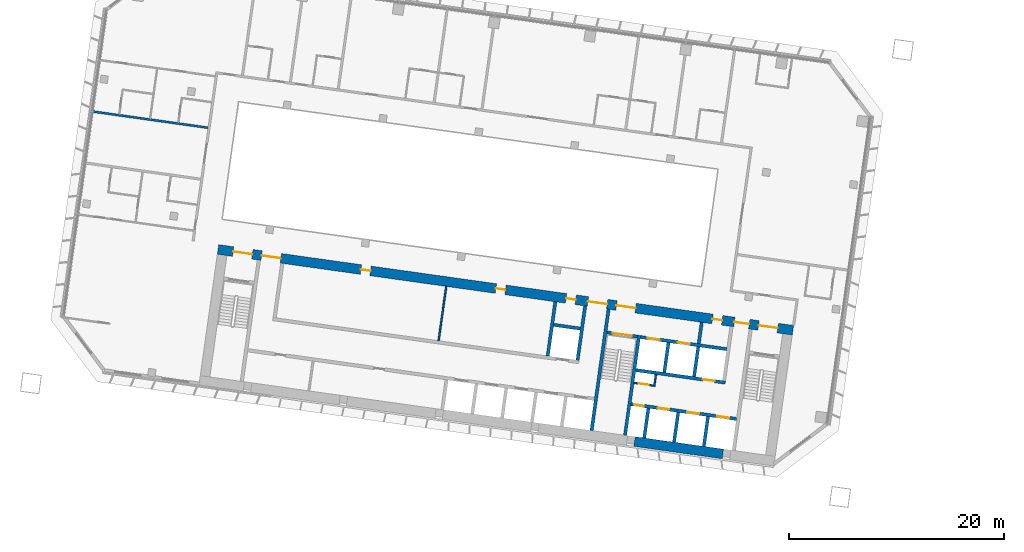
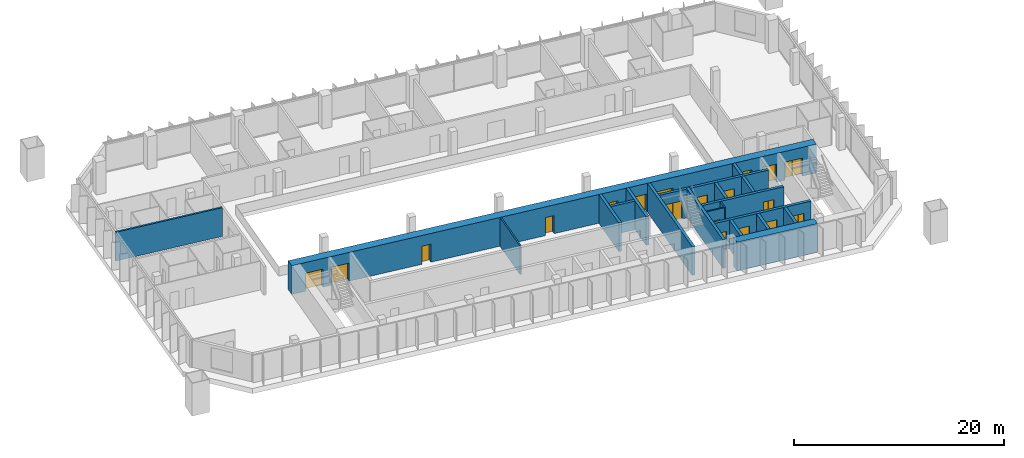
# One storey, part 15 of 24: 21 walls, 19 doors, 19 openings.
"""IFC4 building model written with IfcOpenShell, lengths in metres."""

from ifc_helpers import new_model, si_unit, direction, frame, frame_2d, origin, place, context, subcontext, project, spatial, rectangle, extrude, material, layer, layer_set, type_object, element, fill, save


model = new_model("IFC4")

# Units and contexts
model_context = context("Model", 3, precision=1e-05, world=origin(), true_north=direction((0.0, 1.0)))
body_context = subcontext(model_context, "Body", "Model", "MODEL_VIEW")
ifc_project = project(units=[si_unit("LENGTHUNIT", "METRE"), si_unit("AREAUNIT", "SQUARE_METRE"), si_unit("VOLUMEUNIT", "CUBIC_METRE"), si_unit("PLANEANGLEUNIT", "RADIAN"), si_unit("MASSUNIT", "GRAM", prefix="KILO")], contexts=[model_context])

# Site, building, storey
site_placement = place(None, origin())
site = spatial("IfcSite", under=ifc_project, at=site_placement, CompositionType="ELEMENT")
building_placement = place(site_placement, origin())
building = spatial("IfcBuilding", under=site, at=building_placement, Name="Mirante Cascada Hotel Towers", CompositionType="ELEMENT")
storey_placement = place(building_placement, frame((0.0, 0.0, 81.3)))
storey = spatial("IfcBuildingStorey", under=building, at=storey_placement, Name="L17", CompositionType="ELEMENT", Elevation=81.3)

# Walls
ifc_material_1 = material(Name="Fire-rated plasterboard on metal studs")
ifc_layer_1 = layer(ifc_material_1, 0.2)
ifc_layer_set_1 = layer_set([ifc_layer_1], Name="Compartment wall 200 EI 120")
wall_type_1 = type_object("IfcWallType", Name="Compartment wall 200 EI 120", PredefinedType="PARTITIONING", material=ifc_layer_set_1)
wall_1_placement = place(storey_placement, frame((-100.6266, 12.8067, 0.0), z_axis=(0.0, 0.0, 1.0), x_axis=(0.990268, -0.1391733, 0.0)))
element("IfcWall", 1, at=wall_1_placement, inside=storey, type_object=wall_type_1, Name="Wall 1-L17-09", PredefinedType="PARTITIONING", context=body_context, shape_type="SweptSolid", body=[
    extrude(rectangle(XDim=11.0, YDim=0.2, at=frame_2d((5.5, 0.0))), origin(), (0.0, 0.0, 1.0), 3.35),
])
ifc_material_2 = material(Name="Masonry block", Category="masonry")
ifc_layer_2 = layer(ifc_material_2, 0.15)
ifc_layer_set_2 = layer_set([ifc_layer_2], Name="Core room partition 150 block EI 30")
wall_type_2 = type_object("IfcWallType", Name="Core room partition 150 block EI 30", PredefinedType="PARTITIONING", material=ifc_layer_set_2)
wall_2_placement = place(storey_placement, frame((-48.2295, -12.793, 0.0), z_axis=(0.0, 0.0, 1.0), x_axis=(0.1391935, 0.9902652, 0.0)))
element("IfcWall", 2, at=wall_2_placement, inside=storey, type_object=wall_type_2, Name="Core wall partition T1 L17 2", PredefinedType="PARTITIONING", context=body_context, shape_type="SweptSolid", body=[
    extrude(rectangle(XDim=1.1251, YDim=0.15, at=frame_2d((0.5626, 0.0))), origin(), (0.0, 0.0, 1.0), 3.35),
])

# Wall, opening, door
wall_3_placement = place(storey_placement, frame((-48.2933, -12.7083, 0.0), z_axis=(0.0, 0.0, 1.0), x_axis=(-0.990268, 0.1391734, 0.0)))
wall_3 = element("IfcWall", 3, at=wall_3_placement, inside=storey, type_object=wall_type_2, Name="Core wall partition T1 L17 3", PredefinedType="PARTITIONING", context=body_context, shape_type="SweptSolid", body=[
    extrude(rectangle(XDim=1.8251, YDim=0.15, at=frame_2d((0.9126, 0.0))), origin(), (0.0, 0.0, 1.0), 3.35),
])
opening_1_placement = place(wall_3_placement, frame((0.4625, 0.0, 0.0)))
opening_1 = element("IfcOpeningElement", 4, at=opening_1_placement, cuts=wall_3, Name="Opening D1-17-C23", PredefinedType="OPENING", context=body_context, shape_type="SweptSolid", body=[
    extrude(rectangle(XDim=0.9, YDim=2.1, at=frame_2d((0.45, 1.05))), frame((0.0, 0.075, 0.0), z_axis=(0.0, -1.0, 0.0), x_axis=(1.0, 0.0, 0.0)), (0.0, 0.0, 1.0), 0.15),
])
ifc_material_3 = material(Name="Hollow metal fire door leaf")
door_type_1 = type_object("IfcDoorType", Name="Fire door 900x2100 FD60", OperationType="NOTDEFINED", PredefinedType="DOOR", material=ifc_material_3)
door_1_placement = place(opening_1_placement, origin())
door_1 = element("IfcDoor", 5, at=door_1_placement, inside=storey, type_object=door_type_1, Name="Riser door T1 L17 23", OperationType="SINGLE_SWING_LEFT", OverallHeight=2.1, OverallWidth=0.9, PredefinedType="DOOR", context=body_context, shape_type="SweptSolid", body=[
    extrude(rectangle(XDim=0.9, YDim=2.1, at=frame_2d((0.45, 1.05))), frame((0.0, 0.025, 0.0), z_axis=(0.0, -1.0, 0.0), x_axis=(1.0, 0.0, 0.0)), (0.0, 0.0, 1.0), 0.05),
])
fill(opening_1, door_1)

# Walls
wall_4_placement = place(storey_placement, frame((-68.2822, -8.5358, 0.0), z_axis=(0.0, 0.0, 1.0), x_axis=(0.1391755, 0.9902677, 0.0)))
element("IfcWall", 6, at=wall_4_placement, inside=storey, type_object=wall_type_2, Name="Core wall partition T1 L17 5", PredefinedType="PARTITIONING", context=body_context, shape_type="SweptSolid", body=[
    extrude(rectangle(XDim=5.1, YDim=0.15, at=frame_2d((2.55, 0.0))), origin(), (0.0, 0.0, 1.0), 3.35),
])
ifc_material_4 = material(Name="Masonry block", Category="masonry")
ifc_layer_3 = layer(ifc_material_4, 0.3)
ifc_layer_set_3 = layer_set([ifc_layer_3], Name="Core wall 300 block EI 120")
wall_type_3 = type_object("IfcWallType", Name="Core wall 300 block EI 120", PredefinedType="PARTITIONING", material=ifc_layer_set_3)
wall_5_placement = place(storey_placement, frame((-44.0843, -8.8061, 0.0), z_axis=(0.0, 0.0, 1.0), x_axis=(0.1391951, 0.990265, 0.0)))
element("IfcWall", 7, at=wall_5_placement, inside=storey, type_object=wall_type_3, Name="Core wall partition T1 L17 1", PredefinedType="PARTITIONING", context=body_context, shape_type="SweptSolid", body=[
    extrude(rectangle(XDim=2.0001, YDim=0.3, at=frame_2d((1.0001, 0.0))), origin(), (0.0, 0.0, 1.0), 3.35),
])
ifc_material_5 = material(Name="Concrete C50/60", Category="concrete")
ifc_layer_4 = layer(ifc_material_5, 0.3)
ifc_layer_set_4 = layer_set([ifc_layer_4], Name="RC core wall 300 C50/60")
wall_type_4 = type_object("IfcWallType", Name="RC core wall 300 C50/60", PredefinedType="SHEAR", material=ifc_layer_set_4)
wall_6_placement = place(storey_placement, frame((-50.938, -17.3352, 0.0), z_axis=(0.0, 0.0, 1.0), x_axis=(0.1391706, 0.9902684, 0.0)))
element("IfcWall", 8, at=wall_6_placement, inside=storey, type_object=wall_type_4, Name="Core wall T1:L17:6", PredefinedType="SHEAR", context=body_context, shape_type="SweptSolid", body=[
    extrude(rectangle(XDim=9.4, YDim=0.3, at=frame_2d((4.7, 0.0))), origin(), (0.0, 0.0, 1.0), 3.35),
])
wall_7_placement = place(storey_placement, frame((-54.0574, -16.8968, 0.0), z_axis=(0.0, 0.0, 1.0), x_axis=(0.1391761, 0.9902677, 0.0)))
element("IfcWall", 9, at=wall_7_placement, inside=storey, type_object=wall_type_4, Name="Core wall T1:L17:7", PredefinedType="SHEAR", context=body_context, shape_type="SweptSolid", body=[
    extrude(rectangle(XDim=11.3999, YDim=0.3, at=frame_2d((5.7, 0.0))), origin(), (0.0, 0.0, 1.0), 3.35),
])

# Wall, opening, door
wall_8_placement = place(storey_placement, frame((-49.7992, -8.1544, 0.0), z_axis=(0.0, 0.0, 1.0), x_axis=(-0.9902656, 0.1391909, 0.0)))
wall_8 = element("IfcWall", 10, at=wall_8_placement, inside=storey, type_object=wall_type_4, Name="Core wall T1:L17:10", PredefinedType="SHEAR", context=body_context, shape_type="SweptSolid", body=[
    extrude(rectangle(XDim=2.85, YDim=0.3, at=frame_2d((1.425, 0.0))), origin(), (0.0, 0.0, 1.0), 3.35),
])
opening_2_placement = place(wall_8_placement, frame((0.525, 0.0, 0.0)))
opening_2 = element("IfcOpeningElement", 11, at=opening_2_placement, cuts=wall_8, Name="Opening D1-17-C15", PredefinedType="OPENING", context=body_context, shape_type="SweptSolid", body=[
    extrude(rectangle(XDim=1.8, YDim=2.1, at=frame_2d((0.9, 1.05))), frame((0.0, 0.15, 0.0), z_axis=(0.0, -1.0, 0.0), x_axis=(1.0, 0.0, 0.0)), (0.0, 0.0, 1.0), 0.3),
])
ifc_material_6 = material(Name="Hollow metal fire door leaf")
door_type_2 = type_object("IfcDoorType", Name="Double fire door 1800x2100 FD60", OperationType="DOUBLE_DOOR_SINGLE_SWING", PredefinedType="DOOR", material=ifc_material_6)
door_2_placement = place(opening_2_placement, origin())
door_2 = element("IfcDoor", 12, at=door_2_placement, inside=storey, type_object=door_type_2, Name="Stair door T1 L17 15", OperationType="DOUBLE_DOOR_SINGLE_SWING", OverallHeight=2.1, OverallWidth=1.8, PredefinedType="DOOR", context=body_context, shape_type="SweptSolid", body=[
    extrude(rectangle(XDim=0.895, YDim=2.1, at=frame_2d((0.4475, 1.05))), frame((0.0, 0.025, 0.0), z_axis=(0.0, -1.0, 0.0), x_axis=(1.0, 0.0, 0.0)), (0.0, 0.0, 1.0), 0.05),
    extrude(rectangle(XDim=0.895, YDim=2.1, at=frame_2d((1.3525, 1.05))), frame((0.0, 0.025, 0.0), z_axis=(0.0, -1.0, 0.0), x_axis=(1.0, 0.0, 0.0)), (0.0, 0.0, 1.0), 0.05),
])
fill(opening_2, door_2)

# Wall, openings, doors
wall_9_placement = place(storey_placement, frame((-40.5753, -15.8126, 0.0), z_axis=(0.0, 0.0, 1.0), x_axis=(-0.9902682, 0.1391725, 0.0)))
wall_9 = element("IfcWall", 13, at=wall_9_placement, inside=storey, type_object=wall_type_4, Name="Core wall T1:L17:12", PredefinedType="SHEAR", context=body_context, shape_type="SweptSolid", body=[
    extrude(rectangle(XDim=9.8999, YDim=0.3, at=frame_2d((4.95, 0.0))), origin(), (0.0, 0.0, 1.0), 3.35),
])
opening_3_placement = place(wall_9_placement, frame((0.7, 0.0, 0.0)))
opening_3 = element("IfcOpeningElement", 14, at=opening_3_placement, cuts=wall_9, Name="Opening LD", PredefinedType="OPENING", context=body_context, shape_type="SweptSolid", body=[
    extrude(rectangle(XDim=1.1, YDim=2.1, at=frame_2d((0.55, 1.05))), frame((0.0, 0.15, 0.0), z_axis=(0.0, -1.0, 0.0), x_axis=(1.0, 0.0, 0.0)), (0.0, 0.0, 1.0), 0.3),
])
opening_4_placement = place(wall_9_placement, frame((3.5, 0.0, 0.0)))
opening_4 = element("IfcOpeningElement", 15, at=opening_4_placement, cuts=wall_9, Name="Opening LD", PredefinedType="OPENING", context=body_context, shape_type="SweptSolid", body=[
    extrude(rectangle(XDim=1.1, YDim=2.1, at=frame_2d((0.55, 1.05))), frame((0.0, 0.15, 0.0), z_axis=(0.0, -1.0, 0.0), x_axis=(1.0, 0.0, 0.0)), (0.0, 0.0, 1.0), 0.3),
])
opening_5_placement = place(wall_9_placement, frame((6.3, 0.0, 0.0)))
opening_5 = element("IfcOpeningElement", 16, at=opening_5_placement, cuts=wall_9, Name="Opening LD", PredefinedType="OPENING", context=body_context, shape_type="SweptSolid", body=[
    extrude(rectangle(XDim=1.1, YDim=2.1, at=frame_2d((0.55, 1.05))), frame((0.0, 0.15, 0.0), z_axis=(0.0, -1.0, 0.0), x_axis=(1.0, 0.0, 0.0)), (0.0, 0.0, 1.0), 0.3),
])
opening_6_placement = place(wall_9_placement, frame((8.7, 0.0, 0.0)))
opening_6 = element("IfcOpeningElement", 17, at=opening_6_placement, cuts=wall_9, Name="Opening D1-17-C22", PredefinedType="OPENING", context=body_context, shape_type="SweptSolid", body=[
    extrude(rectangle(XDim=0.9, YDim=2.1, at=frame_2d((0.45, 1.05))), frame((0.0, 0.15, 0.0), z_axis=(0.0, -1.0, 0.0), x_axis=(1.0, 0.0, 0.0)), (0.0, 0.0, 1.0), 0.3),
])
door_3_placement = place(opening_6_placement, origin())
door_3 = element("IfcDoor", 18, at=door_3_placement, inside=storey, type_object=door_type_1, Name="Riser door T1 L17 22", OperationType="SINGLE_SWING_LEFT", OverallHeight=2.1, OverallWidth=0.9, PredefinedType="DOOR", context=body_context, shape_type="SweptSolid", body=[
    extrude(rectangle(XDim=0.9, YDim=2.1, at=frame_2d((0.45, 1.05))), frame((0.0, 0.025, 0.0), z_axis=(0.0, -1.0, 0.0), x_axis=(1.0, 0.0, 0.0)), (0.0, 0.0, 1.0), 0.05),
])
fill(opening_6, door_3)
ifc_material_7 = material(Name="Stainless steel", Category="steel")
door_type_3 = type_object("IfcDoorType", Name="Lift landing door 1100x2100 EI 120", OperationType="DOUBLE_DOOR_SLIDING", PredefinedType="DOOR", material=ifc_material_7)
door_4_placement = place(opening_3_placement, origin())
door_4 = element("IfcDoor", 19, at=door_4_placement, inside=storey, type_object=door_type_3, Name="Lift landing door HR1-1 L17", OperationType="DOUBLE_DOOR_SLIDING", OverallHeight=2.1, OverallWidth=1.1, PredefinedType="DOOR", context=body_context, shape_type="SweptSolid", body=[
    extrude(rectangle(XDim=0.545, YDim=2.1, at=frame_2d((0.2725, 1.05))), frame((0.0, 0.025, 0.0), z_axis=(0.0, -1.0, 0.0), x_axis=(1.0, 0.0, 0.0)), (0.0, 0.0, 1.0), 0.05),
    extrude(rectangle(XDim=0.545, YDim=2.1, at=frame_2d((0.8275, 1.05))), frame((0.0, 0.025, 0.0), z_axis=(0.0, -1.0, 0.0), x_axis=(1.0, 0.0, 0.0)), (0.0, 0.0, 1.0), 0.05),
])
fill(opening_3, door_4)
door_5_placement = place(opening_4_placement, origin())
door_5 = element("IfcDoor", 20, at=door_5_placement, inside=storey, type_object=door_type_3, Name="Lift landing door HR1-2 L17", OperationType="DOUBLE_DOOR_SLIDING", OverallHeight=2.1, OverallWidth=1.1, PredefinedType="DOOR", context=body_context, shape_type="SweptSolid", body=[
    extrude(rectangle(XDim=0.545, YDim=2.1, at=frame_2d((0.2725, 1.05))), frame((0.0, 0.025, 0.0), z_axis=(0.0, -1.0, 0.0), x_axis=(1.0, 0.0, 0.0)), (0.0, 0.0, 1.0), 0.05),
    extrude(rectangle(XDim=0.545, YDim=2.1, at=frame_2d((0.8275, 1.05))), frame((0.0, 0.025, 0.0), z_axis=(0.0, -1.0, 0.0), x_axis=(1.0, 0.0, 0.0)), (0.0, 0.0, 1.0), 0.05),
])
fill(opening_4, door_5)
door_6_placement = place(opening_5_placement, origin())
door_6 = element("IfcDoor", 21, at=door_6_placement, inside=storey, type_object=door_type_3, Name="Lift landing door HR1-3 L17", OperationType="DOUBLE_DOOR_SLIDING", OverallHeight=2.1, OverallWidth=1.1, PredefinedType="DOOR", context=body_context, shape_type="SweptSolid", body=[
    extrude(rectangle(XDim=0.545, YDim=2.1, at=frame_2d((0.2725, 1.05))), frame((0.0, 0.025, 0.0), z_axis=(0.0, -1.0, 0.0), x_axis=(1.0, 0.0, 0.0)), (0.0, 0.0, 1.0), 0.05),
    extrude(rectangle(XDim=0.545, YDim=2.1, at=frame_2d((0.8275, 1.05))), frame((0.0, 0.025, 0.0), z_axis=(0.0, -1.0, 0.0), x_axis=(1.0, 0.0, 0.0)), (0.0, 0.0, 1.0), 0.05),
])
fill(opening_5, door_6)

# Wall, opening, door
wall_10_placement = place(storey_placement, frame((-41.6153, -12.435, 0.0), z_axis=(0.0, 0.0, 1.0), x_axis=(-0.9902691, 0.139166, 0.0)))
wall_10 = element("IfcWall", 22, at=wall_10_placement, inside=storey, type_object=wall_type_4, Name="Core wall T1:L17:13", PredefinedType="SHEAR", context=body_context, shape_type="SweptSolid", body=[
    extrude(rectangle(XDim=8.4, YDim=0.3, at=frame_2d((4.2, 0.0))), origin(), (0.0, 0.0, 1.0), 3.35),
])
opening_7_placement = place(wall_10_placement, frame((1.0, 0.0, 0.0)))
opening_7 = element("IfcOpeningElement", 23, at=opening_7_placement, cuts=wall_10, Name="Opening LD", PredefinedType="OPENING", context=body_context, shape_type="SweptSolid", body=[
    extrude(rectangle(XDim=1.1, YDim=2.1, at=frame_2d((0.55, 1.05))), frame((0.0, 0.15, 0.0), z_axis=(0.0, -1.0, 0.0), x_axis=(1.0, 0.0, 0.0)), (0.0, 0.0, 1.0), 0.3),
])
door_7_placement = place(opening_7_placement, origin())
door_7 = element("IfcDoor", 24, at=door_7_placement, inside=storey, type_object=door_type_3, Name="Lift landing door HR1-4 L17", OperationType="DOUBLE_DOOR_SLIDING", OverallHeight=2.1, OverallWidth=1.1, PredefinedType="DOOR", context=body_context, shape_type="SweptSolid", body=[
    extrude(rectangle(XDim=0.545, YDim=2.1, at=frame_2d((0.2725, 1.05))), frame((0.0, 0.025, 0.0), z_axis=(0.0, -1.0, 0.0), x_axis=(1.0, 0.0, 0.0)), (0.0, 0.0, 1.0), 0.05),
    extrude(rectangle(XDim=0.545, YDim=2.1, at=frame_2d((0.8275, 1.05))), frame((0.0, 0.025, 0.0), z_axis=(0.0, -1.0, 0.0), x_axis=(1.0, 0.0, 0.0)), (0.0, 0.0, 1.0), 0.05),
])
fill(opening_7, door_7)

# Wall, openings, doors
wall_11_placement = place(storey_placement, frame((-41.481, -9.3234, 0.0), z_axis=(0.0, 0.0, 1.0), x_axis=(-0.9902679, 0.1391741, 0.0)))
wall_11 = element("IfcWall", 25, at=wall_11_placement, inside=storey, type_object=wall_type_4, Name="Core wall T1:L17:14", PredefinedType="SHEAR", context=body_context, shape_type="SweptSolid", body=[
    extrude(rectangle(XDim=8.0999, YDim=0.3, at=frame_2d((4.05, 0.0))), origin(), (0.0, 0.0, 1.0), 3.35),
])
opening_8_placement = place(wall_11_placement, frame((3.5, 0.0, 0.0)))
opening_8 = element("IfcOpeningElement", 26, at=opening_8_placement, cuts=wall_11, Name="Opening LD", PredefinedType="OPENING", context=body_context, shape_type="SweptSolid", body=[
    extrude(rectangle(XDim=1.1, YDim=2.1, at=frame_2d((0.55, 1.05))), frame((0.0, 0.15, 0.0), z_axis=(0.0, -1.0, 0.0), x_axis=(1.0, 0.0, 0.0)), (0.0, 0.0, 1.0), 0.3),
])
opening_9_placement = place(wall_11_placement, frame((6.3, 0.0, 0.0)))
opening_9 = element("IfcOpeningElement", 27, at=opening_9_placement, cuts=wall_11, Name="Opening LD", PredefinedType="OPENING", context=body_context, shape_type="SweptSolid", body=[
    extrude(rectangle(XDim=1.1, YDim=2.1, at=frame_2d((0.55, 1.05))), frame((0.0, 0.15, 0.0), z_axis=(0.0, -1.0, 0.0), x_axis=(1.0, 0.0, 0.0)), (0.0, 0.0, 1.0), 0.3),
])
door_8_placement = place(opening_8_placement, origin())
door_8 = element("IfcDoor", 28, at=door_8_placement, inside=storey, type_object=door_type_3, Name="Lift landing door FF1 L17", OperationType="DOUBLE_DOOR_SLIDING", OverallHeight=2.1, OverallWidth=1.1, PredefinedType="DOOR", context=body_context, shape_type="SweptSolid", body=[
    extrude(rectangle(XDim=0.545, YDim=2.1, at=frame_2d((0.2725, 1.05))), frame((0.0, 0.025, 0.0), z_axis=(0.0, -1.0, 0.0), x_axis=(1.0, 0.0, 0.0)), (0.0, 0.0, 1.0), 0.05),
    extrude(rectangle(XDim=0.545, YDim=2.1, at=frame_2d((0.8275, 1.05))), frame((0.0, 0.025, 0.0), z_axis=(0.0, -1.0, 0.0), x_axis=(1.0, 0.0, 0.0)), (0.0, 0.0, 1.0), 0.05),
])
fill(opening_8, door_8)
door_9_placement = place(opening_9_placement, origin())
door_9 = element("IfcDoor", 29, at=door_9_placement, inside=storey, type_object=door_type_3, Name="Lift landing door FF2 L17", OperationType="DOUBLE_DOOR_SLIDING", OverallHeight=2.1, OverallWidth=1.1, PredefinedType="DOOR", context=body_context, shape_type="SweptSolid", body=[
    extrude(rectangle(XDim=0.545, YDim=2.1, at=frame_2d((0.2725, 1.05))), frame((0.0, 0.025, 0.0), z_axis=(0.0, -1.0, 0.0), x_axis=(1.0, 0.0, 0.0)), (0.0, 0.0, 1.0), 0.05),
    extrude(rectangle(XDim=0.545, YDim=2.1, at=frame_2d((0.8275, 1.05))), frame((0.0, 0.025, 0.0), z_axis=(0.0, -1.0, 0.0), x_axis=(1.0, 0.0, 0.0)), (0.0, 0.0, 1.0), 0.05),
])
fill(opening_9, door_9)

# Walls
wall_12_placement = place(storey_placement, frame((-43.61, -18.3651, 0.0), z_axis=(0.0, 0.0, 1.0), x_axis=(0.1391459, 0.9902719, 0.0)))
element("IfcWall", 30, at=wall_12_placement, inside=storey, type_object=wall_type_4, Name="Core wall T1:L17:15", PredefinedType="SHEAR", context=body_context, shape_type="SweptSolid", body=[
    extrude(rectangle(XDim=2.7999, YDim=0.3, at=frame_2d((1.4, 0.0))), origin(), (0.0, 0.0, 1.0), 3.35),
])
wall_13_placement = place(storey_placement, frame((-46.3828, -17.9754, 0.0), z_axis=(0.0, 0.0, 1.0), x_axis=(0.139181, 0.990267, 0.0)))
element("IfcWall", 31, at=wall_13_placement, inside=storey, type_object=wall_type_4, Name="Core wall T1:L17:16", PredefinedType="SHEAR", context=body_context, shape_type="SweptSolid", body=[
    extrude(rectangle(XDim=2.8, YDim=0.3, at=frame_2d((1.4, 0.0))), origin(), (0.0, 0.0, 1.0), 3.35),
])
wall_14_placement = place(storey_placement, frame((-49.1555, -17.5857, 0.0), z_axis=(0.0, 0.0, 1.0), x_axis=(0.1391459, 0.9902719, 0.0)))
element("IfcWall", 32, at=wall_14_placement, inside=storey, type_object=wall_type_4, Name="Core wall T1:L17:17", PredefinedType="SHEAR", context=body_context, shape_type="SweptSolid", body=[
    extrude(rectangle(XDim=2.7999, YDim=0.3, at=frame_2d((1.4, 0.0))), origin(), (0.0, 0.0, 1.0), 3.35),
])
for number, where, z_axis, x_axis, name in (
    (33, (-44.5157, -11.8759, 0.0), (0.0, 0.0, 1.0), (0.139181, 0.990267, 0.0), "Core wall T1:L17:18"),
    (34, (-47.2885, -11.4862, 0.0), (0.0, 0.0, 1.0), (0.139181, 0.990267, 0.0), "Core wall T1:L17:19"),
):
    element("IfcWall", number, at=place(storey_placement, frame(where, z_axis=z_axis, x_axis=x_axis)), inside=storey, type_object=wall_type_4, Name=name, PredefinedType="SHEAR", context=body_context, shape_type="SweptSolid", body=[
        extrude(rectangle(XDim=2.8, YDim=0.3, at=frame_2d((1.4, 0.0))), origin(), (0.0, 0.0, 1.0), 3.35),
    ])
for number, where, z_axis, x_axis, name in (
    (35, (-55.3592, -10.352, 0.0), (0.0, 0.0, 1.0), (0.1391755, 0.9902677, 0.0), "Core wall T1:L17:32"),
    (36, (-58.1319, -9.9623, 0.0), (0.0, 0.0, 1.0), (0.1391755, 0.9902677, 0.0), "Core wall T1:L17:34"),
):
    element("IfcWall", number, at=place(storey_placement, frame(where, z_axis=z_axis, x_axis=x_axis)), inside=storey, type_object=wall_type_4, Name=name, PredefinedType="SHEAR", context=body_context, shape_type="SweptSolid", body=[
        extrude(rectangle(XDim=5.1, YDim=0.3, at=frame_2d((2.55, 0.0))), origin(), (0.0, 0.0, 1.0), 3.35),
    ])
wall_15_placement = place(storey_placement, frame((-55.0971, -7.4098, 0.0), z_axis=(0.0, 0.0, 1.0), x_axis=(-0.9902701, 0.1391586, 0.0)))
element("IfcWall", 37, at=wall_15_placement, inside=storey, type_object=wall_type_4, Name="Core wall T1:L17:35", PredefinedType="SHEAR", context=body_context, shape_type="SweptSolid", body=[
    extrude(rectangle(XDim=2.5, YDim=0.3, at=frame_2d((1.25, 0.0))), origin(), (0.0, 0.0, 1.0), 3.35),
])
ifc_material_8 = material(Name="Concrete C50/60", Category="concrete")
ifc_layer_5 = layer(ifc_material_8, 0.9)
ifc_layer_set_5 = layer_set([ifc_layer_5], Name="RC core wall 900 C50/60")
wall_type_5 = type_object("IfcWallType", Name="RC core wall 900 C50/60", PredefinedType="SHEAR", material=ifc_layer_set_5)
wall_16_placement = place(storey_placement, frame((-41.8407, -19.0682, 0.0), z_axis=(0.0, 0.0, 1.0), x_axis=(-0.9902686, 0.1391692, 0.0)))
element("IfcWall", 38, at=wall_16_placement, inside=storey, type_object=wall_type_5, Name="Core wall T1:L17:1.2", PredefinedType="SHEAR", context=body_context, shape_type="SweptSolid", body=[
    extrude(rectangle(XDim=8.3, YDim=0.9, at=frame_2d((4.15, 0.0))), origin(), (0.0, 0.0, 1.0), 3.35),
])

# Wall, openings, doors
wall_17_placement = place(storey_placement, frame((-35.326, -7.5629, 0.0), z_axis=(0.0, 0.0, 1.0), x_axis=(-0.9902679, 0.139174, 0.0)))
wall_17 = element("IfcWall", 39, at=wall_17_placement, inside=storey, type_object=wall_type_5, Name="Core wall T1:L17:2", PredefinedType="SHEAR", context=body_context, shape_type="SweptSolid", body=[
    extrude(rectangle(XDim=54.0, YDim=0.9, at=frame_2d((27.0, 0.0))), origin(), (0.0, 0.0, 1.0), 3.35),
])
opening_10_placement = place(wall_17_placement, frame((1.425, 0.0, 0.0)))
opening_10 = element("IfcOpeningElement", 40, at=opening_10_placement, cuts=wall_17, Name="Opening D1-17-C14", PredefinedType="OPENING", context=body_context, shape_type="SweptSolid", body=[
    extrude(rectangle(XDim=1.8, YDim=2.1, at=frame_2d((0.9, 1.05))), frame((0.0, 0.45, 0.0), z_axis=(0.0, -1.0, 0.0), x_axis=(1.0, 0.0, 0.0)), (0.0, 0.0, 1.0), 0.9),
])
opening_11_placement = place(wall_17_placement, frame((14.775, 0.0, 0.0)))
opening_11 = element("IfcOpeningElement", 41, at=opening_11_placement, cuts=wall_17, Name="Opening D1-17-C16", PredefinedType="OPENING", context=body_context, shape_type="SweptSolid", body=[
    extrude(rectangle(XDim=1.8, YDim=2.1, at=frame_2d((0.9, 1.05))), frame((0.0, 0.45, 0.0), z_axis=(0.0, -1.0, 0.0), x_axis=(1.0, 0.0, 0.0)), (0.0, 0.0, 1.0), 0.9),
])
opening_12_placement = place(wall_17_placement, frame((50.775, 0.0, 0.0)))
opening_12 = element("IfcOpeningElement", 42, at=opening_12_placement, cuts=wall_17, Name="Opening D1-17-C18", PredefinedType="OPENING", context=body_context, shape_type="SweptSolid", body=[
    extrude(rectangle(XDim=1.8, YDim=2.1, at=frame_2d((0.9, 1.05))), frame((0.0, 0.45, 0.0), z_axis=(0.0, -1.0, 0.0), x_axis=(1.0, 0.0, 0.0)), (0.0, 0.0, 1.0), 0.9),
])
opening_13_placement = place(wall_17_placement, frame((4.1, 0.0, 0.0)))
opening_13 = element("IfcOpeningElement", 43, at=opening_13_placement, cuts=wall_17, Name="Opening D1-17-C19", PredefinedType="OPENING", context=body_context, shape_type="SweptSolid", body=[
    extrude(rectangle(XDim=1.4, YDim=2.1, at=frame_2d((0.7, 1.05))), frame((0.0, 0.45, 0.0), z_axis=(0.0, -1.0, 0.0), x_axis=(1.0, 0.0, 0.0)), (0.0, 0.0, 1.0), 0.9),
])
opening_14_placement = place(wall_17_placement, frame((17.45, 0.0, 0.0)))
opening_14 = element("IfcOpeningElement", 44, at=opening_14_placement, cuts=wall_17, Name="Opening D1-17-C20", PredefinedType="OPENING", context=body_context, shape_type="SweptSolid", body=[
    extrude(rectangle(XDim=1.8, YDim=2.1, at=frame_2d((0.9, 1.05))), frame((0.0, 0.45, 0.0), z_axis=(0.0, -1.0, 0.0), x_axis=(1.0, 0.0, 0.0)), (0.0, 0.0, 1.0), 0.9),
])
opening_15_placement = place(wall_17_placement, frame((48.1, 0.0, 0.0)))
opening_15 = element("IfcOpeningElement", 45, at=opening_15_placement, cuts=wall_17, Name="Opening D1-17-C21", PredefinedType="OPENING", context=body_context, shape_type="SweptSolid", body=[
    extrude(rectangle(XDim=1.8, YDim=2.1, at=frame_2d((0.9, 1.05))), frame((0.0, 0.45, 0.0), z_axis=(0.0, -1.0, 0.0), x_axis=(1.0, 0.0, 0.0)), (0.0, 0.0, 1.0), 0.9),
])
opening_16_placement = place(wall_17_placement, frame((6.65, 0.0, 0.0)))
opening_16 = element("IfcOpeningElement", 46, at=opening_16_placement, cuts=wall_17, Name="Opening D1-17-C24", PredefinedType="OPENING", context=body_context, shape_type="SweptSolid", body=[
    extrude(rectangle(XDim=0.9, YDim=2.1, at=frame_2d((0.45, 1.05))), frame((0.0, 0.45, 0.0), z_axis=(0.0, -1.0, 0.0), x_axis=(1.0, 0.0, 0.0)), (0.0, 0.0, 1.0), 0.9),
])
opening_17_placement = place(wall_17_placement, frame((20.4, 0.0, 0.0)))
opening_17 = element("IfcOpeningElement", 47, at=opening_17_placement, cuts=wall_17, Name="Opening D1-17-C27", PredefinedType="OPENING", context=body_context, shape_type="SweptSolid", body=[
    extrude(rectangle(XDim=0.9, YDim=2.1, at=frame_2d((0.45, 1.05))), frame((0.0, 0.45, 0.0), z_axis=(0.0, -1.0, 0.0), x_axis=(1.0, 0.0, 0.0)), (0.0, 0.0, 1.0), 0.9),
])
opening_18_placement = place(wall_17_placement, frame((27.0, 0.0, 0.0)))
opening_18 = element("IfcOpeningElement", 48, at=opening_18_placement, cuts=wall_17, Name="Opening D1-17-C28", PredefinedType="OPENING", context=body_context, shape_type="SweptSolid", body=[
    extrude(rectangle(XDim=0.9, YDim=2.1, at=frame_2d((0.45, 1.05))), frame((0.0, 0.45, 0.0), z_axis=(0.0, -1.0, 0.0), x_axis=(1.0, 0.0, 0.0)), (0.0, 0.0, 1.0), 0.9),
])
opening_19_placement = place(wall_17_placement, frame((39.675, 0.0, 0.0)))
opening_19 = element("IfcOpeningElement", 49, at=opening_19_placement, cuts=wall_17, Name="Opening D1-17-C29", PredefinedType="OPENING", context=body_context, shape_type="SweptSolid", body=[
    extrude(rectangle(XDim=0.9, YDim=2.1, at=frame_2d((0.45, 1.05))), frame((0.0, 0.45, 0.0), z_axis=(0.0, -1.0, 0.0), x_axis=(1.0, 0.0, 0.0)), (0.0, 0.0, 1.0), 0.9),
])
ifc_material_9 = material(Name="Hollow metal fire door leaf")
door_type_4 = type_object("IfcDoorType", Name="Double fire door 1400x2100 FD60", OperationType="DOUBLE_DOOR_SINGLE_SWING", PredefinedType="DOOR", material=ifc_material_9)
door_10_placement = place(opening_13_placement, frame((1.4, 0.0, 0.0), z_axis=(0.0, 0.0, 1.0), x_axis=(-1.0, 0.0, 0.0)))
door_10 = element("IfcDoor", 50, at=door_10_placement, inside=storey, type_object=door_type_4, Name="Exit door to gallery T1 L17 19", OperationType="DOUBLE_DOOR_SINGLE_SWING", OverallHeight=2.1, OverallWidth=1.4, PredefinedType="DOOR", context=body_context, shape_type="SweptSolid", body=[
    extrude(rectangle(XDim=0.695, YDim=2.1, at=frame_2d((0.3475, 1.05))), frame((0.0, 0.025, 0.0), z_axis=(0.0, -1.0, 0.0), x_axis=(1.0, 0.0, 0.0)), (0.0, 0.0, 1.0), 0.05),
    extrude(rectangle(XDim=0.695, YDim=2.1, at=frame_2d((1.0525, 1.05))), frame((0.0, 0.025, 0.0), z_axis=(0.0, -1.0, 0.0), x_axis=(1.0, 0.0, 0.0)), (0.0, 0.0, 1.0), 0.05),
])
fill(opening_13, door_10)
door_11_placement = place(opening_10_placement, origin())
door_11 = element("IfcDoor", 51, at=door_11_placement, inside=storey, type_object=door_type_2, Name="Exit door to gallery T1 L17 14", OperationType="DOUBLE_DOOR_SINGLE_SWING", OverallHeight=2.1, OverallWidth=1.8, PredefinedType="DOOR", context=body_context, shape_type="SweptSolid", body=[
    extrude(rectangle(XDim=0.895, YDim=2.1, at=frame_2d((0.4475, 1.05))), frame((0.0, 0.025, 0.0), z_axis=(0.0, -1.0, 0.0), x_axis=(1.0, 0.0, 0.0)), (0.0, 0.0, 1.0), 0.05),
    extrude(rectangle(XDim=0.895, YDim=2.1, at=frame_2d((1.3525, 1.05))), frame((0.0, 0.025, 0.0), z_axis=(0.0, -1.0, 0.0), x_axis=(1.0, 0.0, 0.0)), (0.0, 0.0, 1.0), 0.05),
])
fill(opening_10, door_11)
door_12_placement = place(opening_11_placement, origin())
door_12 = element("IfcDoor", 52, at=door_12_placement, inside=storey, type_object=door_type_2, Name="Exit door to gallery T1 L17 16", OperationType="DOUBLE_DOOR_SINGLE_SWING", OverallHeight=2.1, OverallWidth=1.8, PredefinedType="DOOR", context=body_context, shape_type="SweptSolid", body=[
    extrude(rectangle(XDim=0.895, YDim=2.1, at=frame_2d((0.4475, 1.05))), frame((0.0, 0.025, 0.0), z_axis=(0.0, -1.0, 0.0), x_axis=(1.0, 0.0, 0.0)), (0.0, 0.0, 1.0), 0.05),
    extrude(rectangle(XDim=0.895, YDim=2.1, at=frame_2d((1.3525, 1.05))), frame((0.0, 0.025, 0.0), z_axis=(0.0, -1.0, 0.0), x_axis=(1.0, 0.0, 0.0)), (0.0, 0.0, 1.0), 0.05),
])
fill(opening_11, door_12)
door_13_placement = place(opening_12_placement, origin())
door_13 = element("IfcDoor", 53, at=door_13_placement, inside=storey, type_object=door_type_2, Name="Exit door to gallery T1 L17 18", OperationType="DOUBLE_DOOR_SINGLE_SWING", OverallHeight=2.1, OverallWidth=1.8, PredefinedType="DOOR", context=body_context, shape_type="SweptSolid", body=[
    extrude(rectangle(XDim=0.895, YDim=2.1, at=frame_2d((0.4475, 1.05))), frame((0.0, 0.025, 0.0), z_axis=(0.0, -1.0, 0.0), x_axis=(1.0, 0.0, 0.0)), (0.0, 0.0, 1.0), 0.05),
    extrude(rectangle(XDim=0.895, YDim=2.1, at=frame_2d((1.3525, 1.05))), frame((0.0, 0.025, 0.0), z_axis=(0.0, -1.0, 0.0), x_axis=(1.0, 0.0, 0.0)), (0.0, 0.0, 1.0), 0.05),
])
fill(opening_12, door_13)
door_14_placement = place(opening_14_placement, frame((1.8, 0.0, 0.0), z_axis=(0.0, 0.0, 1.0), x_axis=(-1.0, 0.0, 0.0)))
door_14 = element("IfcDoor", 54, at=door_14_placement, inside=storey, type_object=door_type_2, Name="Exit door to gallery T1 L17 20", OperationType="DOUBLE_DOOR_SINGLE_SWING", OverallHeight=2.1, OverallWidth=1.8, PredefinedType="DOOR", context=body_context, shape_type="SweptSolid", body=[
    extrude(rectangle(XDim=0.895, YDim=2.1, at=frame_2d((0.4475, 1.05))), frame((0.0, 0.025, 0.0), z_axis=(0.0, -1.0, 0.0), x_axis=(1.0, 0.0, 0.0)), (0.0, 0.0, 1.0), 0.05),
    extrude(rectangle(XDim=0.895, YDim=2.1, at=frame_2d((1.3525, 1.05))), frame((0.0, 0.025, 0.0), z_axis=(0.0, -1.0, 0.0), x_axis=(1.0, 0.0, 0.0)), (0.0, 0.0, 1.0), 0.05),
])
fill(opening_14, door_14)
door_15_placement = place(opening_15_placement, frame((1.8, 0.0, 0.0), z_axis=(0.0, 0.0, 1.0), x_axis=(-1.0, 0.0, 0.0)))
door_15 = element("IfcDoor", 55, at=door_15_placement, inside=storey, type_object=door_type_2, Name="Exit door to gallery T1 L17 21", OperationType="DOUBLE_DOOR_SINGLE_SWING", OverallHeight=2.1, OverallWidth=1.8, PredefinedType="DOOR", context=body_context, shape_type="SweptSolid", body=[
    extrude(rectangle(XDim=0.895, YDim=2.1, at=frame_2d((0.4475, 1.05))), frame((0.0, 0.025, 0.0), z_axis=(0.0, -1.0, 0.0), x_axis=(1.0, 0.0, 0.0)), (0.0, 0.0, 1.0), 0.05),
    extrude(rectangle(XDim=0.895, YDim=2.1, at=frame_2d((1.3525, 1.05))), frame((0.0, 0.025, 0.0), z_axis=(0.0, -1.0, 0.0), x_axis=(1.0, 0.0, 0.0)), (0.0, 0.0, 1.0), 0.05),
])
fill(opening_15, door_15)
door_16_placement = place(opening_16_placement, origin())
door_16 = element("IfcDoor", 56, at=door_16_placement, inside=storey, type_object=door_type_1, Name="Room door T1 L17 24", OperationType="SINGLE_SWING_RIGHT", OverallHeight=2.1, OverallWidth=0.9, PredefinedType="DOOR", context=body_context, shape_type="SweptSolid", body=[
    extrude(rectangle(XDim=0.9, YDim=2.1, at=frame_2d((0.45, 1.05))), frame((0.0, 0.025, 0.0), z_axis=(0.0, -1.0, 0.0), x_axis=(1.0, 0.0, 0.0)), (0.0, 0.0, 1.0), 0.05),
])
fill(opening_16, door_16)
door_17_placement = place(opening_17_placement, origin())
door_17 = element("IfcDoor", 57, at=door_17_placement, inside=storey, type_object=door_type_1, Name="Room door T1 L17 27", OperationType="SINGLE_SWING_RIGHT", OverallHeight=2.1, OverallWidth=0.9, PredefinedType="DOOR", context=body_context, shape_type="SweptSolid", body=[
    extrude(rectangle(XDim=0.9, YDim=2.1, at=frame_2d((0.45, 1.05))), frame((0.0, 0.025, 0.0), z_axis=(0.0, -1.0, 0.0), x_axis=(1.0, 0.0, 0.0)), (0.0, 0.0, 1.0), 0.05),
])
fill(opening_17, door_17)
door_18_placement = place(opening_18_placement, origin())
door_18 = element("IfcDoor", 58, at=door_18_placement, inside=storey, type_object=door_type_1, Name="Room door T1 L17 28", OperationType="SINGLE_SWING_RIGHT", OverallHeight=2.1, OverallWidth=0.9, PredefinedType="DOOR", context=body_context, shape_type="SweptSolid", body=[
    extrude(rectangle(XDim=0.9, YDim=2.1, at=frame_2d((0.45, 1.05))), frame((0.0, 0.025, 0.0), z_axis=(0.0, -1.0, 0.0), x_axis=(1.0, 0.0, 0.0)), (0.0, 0.0, 1.0), 0.05),
])
fill(opening_18, door_18)
door_19_placement = place(opening_19_placement, origin())
door_19 = element("IfcDoor", 59, at=door_19_placement, inside=storey, type_object=door_type_1, Name="Room door T1 L17 29", OperationType="SINGLE_SWING_LEFT", OverallHeight=2.1, OverallWidth=0.9, PredefinedType="DOOR", context=body_context, shape_type="SweptSolid", body=[
    extrude(rectangle(XDim=0.9, YDim=2.1, at=frame_2d((0.45, 1.05))), frame((0.0, 0.025, 0.0), z_axis=(0.0, -1.0, 0.0), x_axis=(1.0, 0.0, 0.0)), (0.0, 0.0, 1.0), 0.05),
])
fill(opening_19, door_19)

save(model, "model.ifc")
